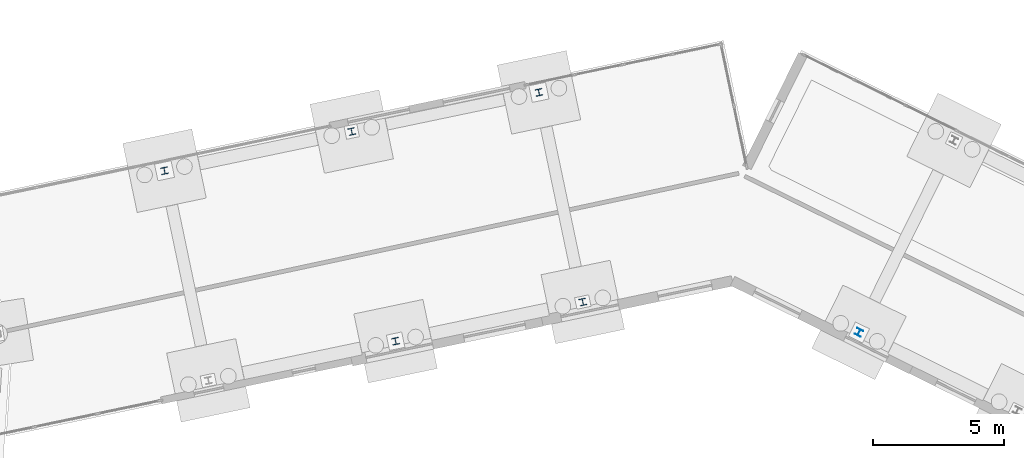
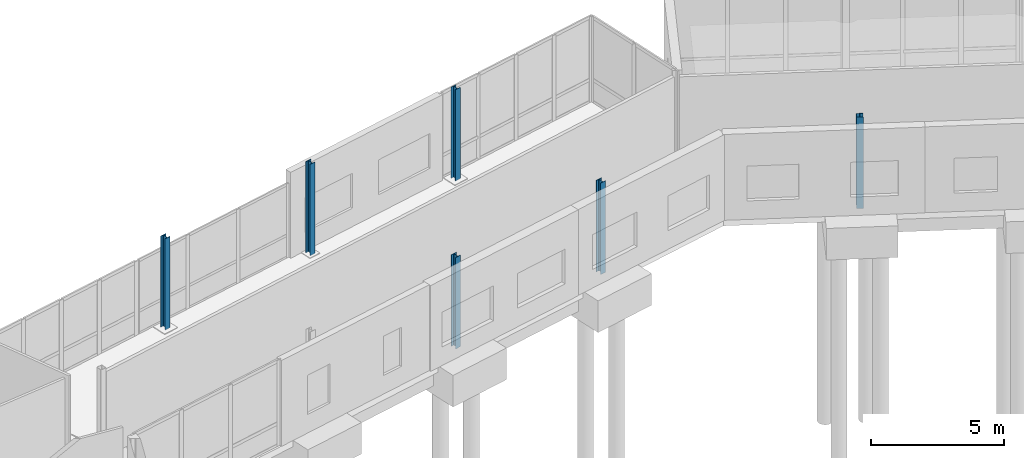
# One storey, part 20 of 113: 6 columns.
"""IFC4 building model written with IfcOpenShell, lengths in metres."""

from ifc_helpers import new_model, si_unit, direction, frame, origin, origin_2d, place, context, subcontext, project, spatial, i_section, extrude, material, material_profile, profile_set, type_object, element, save


model = new_model("IFC4")

# Units and contexts
model_context = context("Model", 3, precision=1e-05, world=origin(), true_north=direction((0.0, 1.0)))
body_context = subcontext(model_context, "Body", "Model", "MODEL_VIEW")
ifc_project = project(units=[si_unit("LENGTHUNIT", "METRE"), si_unit("AREAUNIT", "SQUARE_METRE"), si_unit("VOLUMEUNIT", "CUBIC_METRE"), si_unit("PLANEANGLEUNIT", "RADIAN"), si_unit("MASSUNIT", "GRAM", prefix="KILO")], contexts=[model_context])

# Site, building, storey
site_placement = place(None, origin())
site = spatial("IfcSite", under=ifc_project, at=site_placement, CompositionType="ELEMENT")
building_placement = place(site_placement, origin())
building = spatial("IfcBuilding", under=site, at=building_placement, Name="Wrenclough Park School", CompositionType="ELEMENT")
storey_placement = place(building_placement, origin())
storey = spatial("IfcBuildingStorey", under=building, at=storey_placement, Name="L00", CompositionType="ELEMENT", Elevation=0.0)

# Columns
ifc_material = material(Name="Structural steel S355", Category="steel")
ifc_material_profile = material_profile(ifc_material, i_section(OverallWidth=0.254638671875, OverallDepth=0.254150390625, WebThickness=0.008544921875, FlangeThickness=0.01416015625, FilletRadius=0.0126953125, at=origin_2d()), Name="UKC 254x254x73")
ifc_profile_set = profile_set([ifc_material_profile], Name="Structural steel S355")
column_type = type_object("IfcColumnType", Name="STR-COL-UKC254A", PredefinedType="COLUMN", material=ifc_profile_set)
for number, where, z_axis, x_axis, name in (
    (1, (103.66015625, 117.012939453125, 0.0), (0.0, 0.0, 1.0), (0.978795946539, 0.204837728554, 0.0), "W45 L00 column W45-C1-L03"),
    (2, (110.82666015625, 118.512939453125, 0.0), (0.0, 0.0, 1.0), (0.978795946539, 0.204837728554, 0.0), "W45 L00 column W45-C1-L04"),
    (3, (112.506591796875, 110.487060546875, 0.0), (0.0, 0.0, 1.0), (0.978795946539, 0.204837728554, 0.0), "W45 L00 column W45-C1-R04"),
    (4, (117.993408203125, 120.012939453125, 0.0), (0.0, 0.0, 1.0), (0.978795946539, 0.204837728554, 0.0), "W45 L00 column W45-C1-L05"),
    (5, (119.67333984375, 111.987060546875, 0.0), (0.0, 0.0, 1.0), (0.978795946539, 0.204837728554, 0.0), "W45 L00 column W45-C1-R05"),
    (6, (130.244140625, 110.8251953125, 0.0), (0.0, 0.0, 1.0), (0.896254315973, -0.443540529265, 0.0), "W45 L00 column W45-C2-R01"),
):
    element("IfcColumn", number, at=place(storey_placement, frame(where, z_axis=z_axis, x_axis=x_axis)), inside=storey, type_object=column_type, Name=name, PredefinedType="COLUMN", context=body_context, shape_type="SweptSolid", body=[
        extrude(i_section(OverallWidth=0.254638671875, OverallDepth=0.254150390625, WebThickness=0.008544921875, FlangeThickness=0.01416015625, FilletRadius=0.0126953125, at=origin_2d()), origin(), (0.0, 0.0, 1.0), 4.199951171875),
    ])

save(model, "model.ifc")
